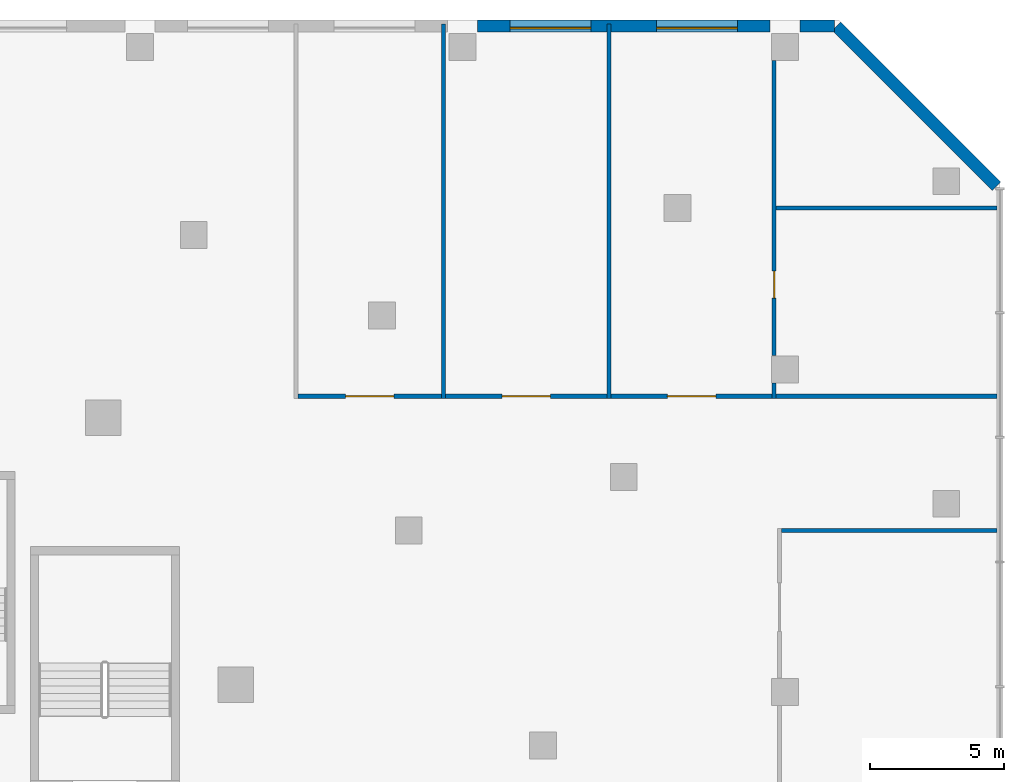
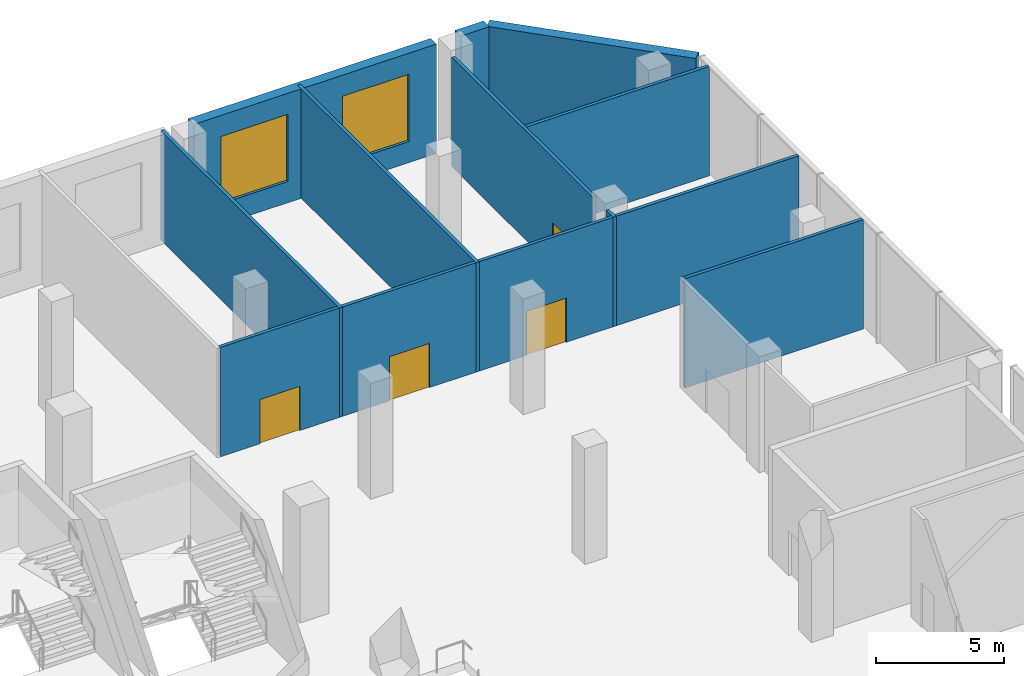
# One storey, part 17 of 25: 13 walls, 4 doors, 2 windows, 6 openings.
"""IFC4 building model written with IfcOpenShell, lengths in metres."""

import ifcopenshell
import ifcopenshell.guid

model = None  # the IFC model being written
_history = None  # IfcOwnerHistory: only IFC2X3 demands one
_inside = {}  # id of a spatial element -> (the spatial element, [elements in it])
_under = {}  # id of a project, library or spatial element -> (it, [spatial elements below it])
_declared = {}  # id of a project -> (the project, [libraries it declares])
_typed = {}  # id of a type object -> (the type object, [elements of that type])
_made_of = {}  # id of a material, layer set ... -> (it, [elements and type objects made of it])


def new_model(schema):
    """Start an empty IFC model of exactly this schema.

    Asked for "IFC4X3", IfcOpenShell would pick the latest addendum, in which some entities
    have other attributes; the version numbers below select the first issue.
    IFC2X3 requires an IfcOwnerHistory on every rooted entity: one is made here for all.
    """
    global model, _history
    if schema == "IFC4X3":
        model = ifcopenshell.file(schema_version=(4, 3, 0, 0))
    else:
        model = ifcopenshell.file(schema=schema)
    _inside.clear()
    _under.clear()
    _declared.clear()
    _typed.clear()
    _made_of.clear()
    _history = None
    if model.schema == "IFC2X3":
        org = make("IfcOrganization", Name="unknown")
        user = make(
            "IfcPersonAndOrganization",
            ThePerson=make("IfcPerson", FamilyName="unknown"),
            TheOrganization=org,
        )
        app = make(
            "IfcApplication",
            ApplicationDeveloper=org,
            Version="unknown",
            ApplicationFullName="unknown",
            ApplicationIdentifier="unknown",
        )
        _history = make(
            "IfcOwnerHistory",
            OwningUser=user,
            OwningApplication=app,
            ChangeAction="ADDED",
            CreationDate=0,
        )
    return model


def make(cls, **values):
    """One entity of the class cls with the attributes given. An attribute that is None is left unset."""
    return model.create_entity(
        cls, **{name: value for name, value in values.items() if value is not None}
    )


def rooted(cls, **values):
    """An entity with a GlobalId (a new one), such as an element, a storey or a relation."""
    return make(cls, GlobalId=ifcopenshell.guid.new(), OwnerHistory=_history, **values)


def si_unit(unit_type, name, prefix=None):
    """IfcSIUnit, for example si_unit("LENGTHUNIT", "METRE", prefix="MILLI")."""
    return make("IfcSIUnit", UnitType=unit_type, Prefix=prefix, Name=name)


def assignment(units):
    """IfcUnitAssignment: the units of a project."""
    return None if units is None else make("IfcUnitAssignment", Units=units)


def point(xyz):
    """IfcCartesianPoint."""
    return None if xyz is None else make("IfcCartesianPoint", Coordinates=xyz)


def direction(xyz):
    """IfcDirection."""
    return None if xyz is None else make("IfcDirection", DirectionRatios=xyz)


def frame(location, z_axis=None, x_axis=None):
    """IfcAxis2Placement3D, a coordinate frame: its origin and axes. An axis left out is left unset."""
    return make(
        "IfcAxis2Placement3D",
        Location=point(location),
        Axis=direction(z_axis),
        RefDirection=direction(x_axis),
    )


def frame_2d(location, x_axis=None):
    """IfcAxis2Placement2D, a coordinate frame in the plane: its origin and x axis."""
    return make(
        "IfcAxis2Placement2D", Location=point(location), RefDirection=direction(x_axis)
    )


def origin():
    """The frame at (0, 0, 0) with its axes left unset."""
    return frame((0.0, 0.0, 0.0))


def place(relative_to, where):
    """IfcLocalPlacement: puts the frame where relative to a parent placement (None: the world)."""
    return make(
        "IfcLocalPlacement", PlacementRelTo=relative_to, RelativePlacement=where
    )


def context(
    kind, dimensions, precision=None, world=None, true_north=None, identifier=None
):
    """IfcGeometricRepresentationContext, for example the 3D "Model" context."""
    return make(
        "IfcGeometricRepresentationContext",
        ContextIdentifier=identifier,
        ContextType=kind,
        CoordinateSpaceDimension=dimensions,
        Precision=precision,
        WorldCoordinateSystem=world,
        TrueNorth=true_north,
    )


def subcontext(parent, identifier, kind, view, scale=None):
    """IfcGeometricRepresentationSubContext, for example "Body" below "Model"."""
    return make(
        "IfcGeometricRepresentationSubContext",
        ContextIdentifier=identifier,
        ContextType=kind,
        ParentContext=parent,
        TargetScale=scale,
        TargetView=view,
    )


def project(units=None, contexts=None):
    """IfcProject with its units and contexts."""
    return rooted(
        "IfcProject",
        Name="project",
        RepresentationContexts=contexts,
        UnitsInContext=assignment(units),
    )


def spatial(cls, under=None, at=None, **own):
    """A site, building, storey or space (cls), placed at a placement, below another one or the project."""
    s = rooted(cls, ObjectPlacement=at, **own)
    if under is not None:
        _under.setdefault(under.id(), (under, []))[1].append(s)
    return s


def profile(cls, at=None, kind="AREA", **sizes):
    """A parametric profile (cls). Its sizes go by their IFC names, for example OverallWidth=200.0."""
    return make(cls, ProfileType=kind, Position=at, **sizes)


def rectangle(**sizes):
    """IfcRectangleProfileDef."""
    return profile("IfcRectangleProfileDef", **sizes)


def extrude(swept, where, along, depth):
    """IfcExtrudedAreaSolid: the profile swept, set in the frame where, extruded along a direction by depth."""
    return make(
        "IfcExtrudedAreaSolid",
        SweptArea=swept,
        Position=where,
        ExtrudedDirection=direction(along),
        Depth=depth,
    )


def shape(context_of_items, identifier, shape_type, items):
    """IfcShapeRepresentation: the items that make up one representation, for example the "Body"."""
    return make(
        "IfcShapeRepresentation",
        ContextOfItems=context_of_items,
        RepresentationIdentifier=identifier,
        RepresentationType=shape_type,
        Items=items,
    )


def material(Name=None, Category=None):
    """IfcMaterial."""
    return make("IfcMaterial", Name=Name, Category=Category)


def layer(
    of_material, thickness, ventilated=None, Name=None, Category=None, Priority=None
):
    """IfcMaterialLayer: one layer of a wall or slab, of a material (None: an air gap)."""
    return make(
        "IfcMaterialLayer",
        Material=of_material,
        LayerThickness=thickness,
        IsVentilated=ventilated,
        Name=Name,
        Category=Category,
        Priority=Priority,
    )


def layer_set(layers, Name=None):
    """IfcMaterialLayerSet."""
    return make("IfcMaterialLayerSet", MaterialLayers=layers, LayerSetName=Name)


def made_of(thing, what):
    """Note that an element or type object is made of a material, layer set ...; save() writes the relation."""
    if what is not None:
        _made_of.setdefault(what.id(), (what, []))[1].append(thing)
    return thing


def type_object(cls, material=None, **own):
    """A type object (cls), such as IfcWallType, which elements share."""
    return made_of(rooted(cls, **own), material)


def element(
    cls,
    number,
    at=None,
    inside=None,
    cuts=None,
    type_object=None,
    material=None,
    context=None,
    identifier="Body",
    shape_type=None,
    held_by="IfcProductDefinitionShape",
    body=None,
    shapes=None,
    **own,
):
    """One element of the class cls, such as IfcWall. Its Tag is "e" and its number.

    at: its placement. inside: the storey or other place that contains it. cuts: it is an
    opening in that element (IfcRelVoidsElement). A single representation is given by context,
    identifier, shape_type and body (its items); several are given by shapes. held_by: the class
    of the entity that holds the representations. save() writes the other relations.
    """
    e = rooted(cls, Tag="e%d" % number, ObjectPlacement=at, **own)
    if body is not None:
        shapes = [shape(context, identifier, shape_type, body)]
    if shapes is not None:
        e.Representation = make(held_by, Representations=shapes)
    if inside is not None:
        _inside.setdefault(inside.id(), (inside, []))[1].append(e)
    if cuts is not None:
        rooted(
            "IfcRelVoidsElement", RelatingBuildingElement=cuts, RelatedOpeningElement=e
        )
    if type_object is not None:
        _typed.setdefault(type_object.id(), (type_object, []))[1].append(e)
    return made_of(e, material)


def fill(opening, filler):
    """IfcRelFillsElement: the door or window that sits in an opening."""
    return rooted(
        "IfcRelFillsElement",
        RelatingOpeningElement=opening,
        RelatedBuildingElement=filler,
    )


def aggregate(whole, parts):
    """IfcRelAggregates: a whole, such as a stair, and the parts it consists of."""
    return rooted("IfcRelAggregates", RelatingObject=whole, RelatedObjects=parts)


def save(model, path):
    """Write the relations noted so far, then the file.

    IfcRelAggregates (storeys below a building ...), IfcRelContainedInSpatialStructure (elements
    in a storey), IfcRelDefinesByType, IfcRelAssociatesMaterial and IfcRelDeclares: one each for
    every whole, place, type object, material and project.
    """
    for whole, parts in _under.values():
        aggregate(whole, parts)
    for where, things in _inside.values():
        rooted(
            "IfcRelContainedInSpatialStructure",
            RelatedElements=things,
            RelatingStructure=where,
        )
    for kind, things in _typed.values():
        rooted("IfcRelDefinesByType", RelatedObjects=things, RelatingType=kind)
    for what, things in _made_of.values():
        rooted("IfcRelAssociatesMaterial", RelatedObjects=things, RelatingMaterial=what)
    for by, libraries in _declared.values():
        rooted("IfcRelDeclares", RelatingContext=by, RelatedDefinitions=libraries)
    model.write(path)


model = new_model("IFC4")

# Units and contexts
model_context = context("Model", 3, precision=1e-05, world=origin(), true_north=direction((0.0, 1.0)))
body_context = subcontext(model_context, "Body", "Model", "MODEL_VIEW")
ifc_project = project(units=[si_unit("LENGTHUNIT", "METRE"), si_unit("AREAUNIT", "SQUARE_METRE"), si_unit("VOLUMEUNIT", "CUBIC_METRE"), si_unit("PLANEANGLEUNIT", "RADIAN"), si_unit("MASSUNIT", "GRAM", prefix="KILO")], contexts=[model_context])

# Site, building, storey
site_placement = place(None, origin())
site = spatial("IfcSite", under=ifc_project, at=site_placement, CompositionType="ELEMENT")
building_placement = place(site_placement, origin())
building = spatial("IfcBuilding", under=site, at=building_placement, Name="Wharfspan Tower", CompositionType="ELEMENT")
storey_placement = place(building_placement, frame((0.0, 0.0, 27.5)))
storey = spatial("IfcBuildingStorey", under=building, at=storey_placement, Name="L04", CompositionType="ELEMENT", Elevation=27.5)

# Wall
ifc_material_1 = material(Name="Calcium silicate masonry", Category="masonry")
ifc_layer_1 = layer(ifc_material_1, 0.149902)
ifc_layer_set_1 = layer_set([ifc_layer_1], Name="Calcium silicate masonry")
wall_type_1 = type_object("IfcWallType", Name="Podium room wall 150", PredefinedType="PARTITIONING", material=ifc_layer_set_1)
wall_1_placement = place(storey_placement, frame((99.875, 37.0, 0.0), z_axis=(0.0, 0.0, 1.0), x_axis=(1.0, 0.0, 0.0)))
element("IfcWall", 1, at=wall_1_placement, inside=storey, type_object=wall_type_1, Name="iw:L04:31", PredefinedType="PARTITIONING", context=body_context, shape_type="SweptSolid", body=[
    extrude(rectangle(XDim=8.02002, YDim=0.149902, at=frame_2d((4.01001, 0.0))), origin(), (0.0, 0.0, 1.0), 5.199951),
])

# Wall, opening, door
wall_2_placement = place(storey_placement, frame((81.875, 42.0, 0.0), z_axis=(0.0, 0.0, 1.0), x_axis=(1.0, 0.0, 0.0)))
wall_2 = element("IfcWall", 2, at=wall_2_placement, inside=storey, type_object=wall_type_1, Name="iw:L04:32", PredefinedType="PARTITIONING", context=body_context, shape_type="SweptSolid", body=[
    extrude(rectangle(XDim=5.350098, YDim=0.149902, at=frame_2d((2.675049, 0.0))), origin(), (0.0, 0.0, 1.0), 5.199951),
])
opening_1_placement = place(wall_2_placement, frame((1.774902, 0.0, 0.0)))
opening_1 = element("IfcOpeningElement", 3, at=opening_1_placement, cuts=wall_2, Name="Opening PD04.20", PredefinedType="OPENING", context=body_context, shape_type="SweptSolid", body=[
    extrude(rectangle(XDim=1.800049, YDim=2.100098, at=frame_2d((0.899902, 1.050049))), frame((0.0, 0.084961, 0.0), z_axis=(0.0, -1.0, 0.0), x_axis=(1.0, 0.0, 0.0)), (0.0, 0.0, 1.0), 0.169922),
])
ifc_material_2 = material(Name="Steel door leaf", Category="steel")
door_type_1 = type_object("IfcDoorType", Name="Podium double door 1800x2100", OperationType="DOUBLE_DOOR_SINGLE_SWING", PredefinedType="DOOR", material=ifc_material_2)
door_1_placement = place(opening_1_placement, origin())
door_1 = element("IfcDoor", 4, at=door_1_placement, inside=storey, type_object=door_type_1, Name="id:L04:20", OperationType="DOUBLE_DOOR_SINGLE_SWING", OverallHeight=2.100098, OverallWidth=1.800049, PredefinedType="DOOR", context=body_context, shape_type="SweptSolid", body=[
    extrude(rectangle(XDim=1.800049, YDim=2.100098, at=frame_2d((0.899902, 1.050049))), frame((0.0, 0.024902, 0.0), z_axis=(0.0, -1.0, 0.0), x_axis=(1.0, 0.0, 0.0)), (0.0, 0.0, 1.0), 0.050049),
])
fill(opening_1, door_1)

wall_3_placement = place(storey_placement, frame((87.375, 42.0, 0.0), z_axis=(0.0, 0.0, 1.0), x_axis=(1.0, 0.0, 0.0)))
wall_3 = element("IfcWall", 5, at=wall_3_placement, inside=storey, type_object=wall_type_1, Name="iw:L04:33", PredefinedType="PARTITIONING", context=body_context, shape_type="SweptSolid", body=[
    extrude(rectangle(XDim=6.0, YDim=0.149902, at=frame_2d((3.0, 0.0))), origin(), (0.0, 0.0, 1.0), 5.199951),
])
opening_2_placement = place(wall_3_placement, frame((2.100098, 0.0, 0.0)))
opening_2 = element("IfcOpeningElement", 6, at=opening_2_placement, cuts=wall_3, Name="Opening PD04.21", PredefinedType="OPENING", context=body_context, shape_type="SweptSolid", body=[
    extrude(rectangle(XDim=1.800049, YDim=2.100098, at=frame_2d((0.899902, 1.050049))), frame((0.0, 0.084961, 0.0), z_axis=(0.0, -1.0, 0.0), x_axis=(1.0, 0.0, 0.0)), (0.0, 0.0, 1.0), 0.169922),
])
door_2_placement = place(opening_2_placement, origin())
door_2 = element("IfcDoor", 7, at=door_2_placement, inside=storey, type_object=door_type_1, Name="id:L04:21", OperationType="DOUBLE_DOOR_SINGLE_SWING", OverallHeight=2.100098, OverallWidth=1.800049, PredefinedType="DOOR", context=body_context, shape_type="SweptSolid", body=[
    extrude(rectangle(XDim=1.800049, YDim=2.100098, at=frame_2d((0.899902, 1.050049))), frame((0.0, 0.024902, 0.0), z_axis=(0.0, -1.0, 0.0), x_axis=(1.0, 0.0, 0.0)), (0.0, 0.0, 1.0), 0.050049),
])
fill(opening_2, door_2)

wall_4_placement = place(storey_placement, frame((93.524902, 42.0, 0.0), z_axis=(0.0, 0.0, 1.0), x_axis=(1.0, 0.0, 0.0)))
wall_4 = element("IfcWall", 8, at=wall_4_placement, inside=storey, type_object=wall_type_1, Name="iw:L04:34", PredefinedType="PARTITIONING", context=body_context, shape_type="SweptSolid", body=[
    extrude(rectangle(XDim=6.0, YDim=0.149902, at=frame_2d((3.0, 0.0))), origin(), (0.0, 0.0, 1.0), 5.199951),
])
opening_3_placement = place(wall_4_placement, frame((2.100098, 0.0, 0.0)))
opening_3 = element("IfcOpeningElement", 9, at=opening_3_placement, cuts=wall_4, Name="Opening PD04.22", PredefinedType="OPENING", context=body_context, shape_type="SweptSolid", body=[
    extrude(rectangle(XDim=1.800049, YDim=2.100098, at=frame_2d((0.899902, 1.050049))), frame((0.0, 0.084961, 0.0), z_axis=(0.0, -1.0, 0.0), x_axis=(1.0, 0.0, 0.0)), (0.0, 0.0, 1.0), 0.169922),
])
door_3_placement = place(opening_3_placement, origin())
door_3 = element("IfcDoor", 10, at=door_3_placement, inside=storey, type_object=door_type_1, Name="id:L04:22", OperationType="DOUBLE_DOOR_SINGLE_SWING", OverallHeight=2.100098, OverallWidth=1.800049, PredefinedType="DOOR", context=body_context, shape_type="SweptSolid", body=[
    extrude(rectangle(XDim=1.800049, YDim=2.100098, at=frame_2d((0.899902, 1.050049))), frame((0.0, 0.024902, 0.0), z_axis=(0.0, -1.0, 0.0), x_axis=(1.0, 0.0, 0.0)), (0.0, 0.0, 1.0), 0.050049),
])
fill(opening_3, door_3)

# Walls
for number, where, z_axis, x_axis, name in (
    (11, (99.675049, 42.0, 0.0), (0.0, 0.0, 1.0), (1.0, 0.0, 0.0), "iw:L04:35"),
    (12, (99.675049, 49.0, 0.0), (0.0, 0.0, 1.0), (1.0, 0.0, 0.0), "iw:L04:36"),
):
    element("IfcWall", number, at=place(storey_placement, frame(where, z_axis=z_axis, x_axis=x_axis)), inside=storey, type_object=wall_type_1, Name=name, PredefinedType="PARTITIONING", context=body_context, shape_type="SweptSolid", body=[
        extrude(rectangle(XDim=8.219971, YDim=0.149902, at=frame_2d((4.109863, 0.0))), origin(), (0.0, 0.0, 1.0), 5.199951),
    ])
wall_5_placement = place(storey_placement, frame((99.600098, 41.925049, 0.0), z_axis=(0.0, 0.0, 1.0), x_axis=(0.0, 1.0, 0.0)))
element("IfcWall", 13, at=wall_5_placement, inside=storey, type_object=wall_type_1, Name="iw:L04:37", PredefinedType="PARTITIONING", context=body_context, shape_type="SweptSolid", body=[
    extrude(rectangle(XDim=0.564941, YDim=0.149902, at=frame_2d((0.282471, 0.0))), origin(), (0.0, 0.0, 1.0), 5.199951),
])

# Wall, opening, door
wall_6_placement = place(storey_placement, frame((99.600098, 43.51001, 0.0), z_axis=(0.0, 0.0, 1.0), x_axis=(0.0, 1.0, 0.0)))
wall_6 = element("IfcWall", 14, at=wall_6_placement, inside=storey, type_object=wall_type_1, Name="iw:L04:38", PredefinedType="PARTITIONING", context=body_context, shape_type="SweptSolid", body=[
    extrude(rectangle(XDim=10.97998, YDim=0.149902, at=frame_2d((5.48999, 0.0))), origin(), (0.0, 0.0, 1.0), 5.199951),
])
opening_4_placement = place(wall_6_placement, frame((2.14502, 0.0, 0.0)))
opening_4 = element("IfcOpeningElement", 15, at=opening_4_placement, cuts=wall_6, Name="Opening PD04.18", PredefinedType="OPENING", context=body_context, shape_type="SweptSolid", body=[
    extrude(rectangle(XDim=1.0, YDim=2.100098, at=frame_2d((0.5, 1.050049))), frame((0.0, 0.084961, 0.0), z_axis=(0.0, -1.0, 0.0), x_axis=(1.0, 0.0, 0.0)), (0.0, 0.0, 1.0), 0.169922),
])
door_type_2 = type_object("IfcDoorType", Name="Podium room door 1000x2100", OperationType="SINGLE_SWING_LEFT", PredefinedType="DOOR", material=ifc_material_2)
door_4_placement = place(opening_4_placement, origin())
door_4 = element("IfcDoor", 16, at=door_4_placement, inside=storey, type_object=door_type_2, Name="id:L04:18", OperationType="SINGLE_SWING_LEFT", OverallHeight=2.100098, OverallWidth=1.0, PredefinedType="DOOR", context=body_context, shape_type="SweptSolid", body=[
    extrude(rectangle(XDim=1.0, YDim=2.100098, at=frame_2d((0.5, 1.050049))), frame((0.0, 0.024902, 0.0), z_axis=(0.0, -1.0, 0.0), x_axis=(1.0, 0.0, 0.0)), (0.0, 0.0, 1.0), 0.050049),
])
fill(opening_4, door_4)

# Walls
for number, where, z_axis, x_axis, name in (
    (17, (87.300049, 41.925049, 0.0), (0.0, 0.0, 1.0), (0.0, 1.0, 0.0), "iw:L04:45"),
    (18, (93.449951, 41.925049, 0.0), (0.0, 0.0, 1.0), (0.0, 1.0, 0.0), "iw:L04:47"),
):
    element("IfcWall", number, at=place(storey_placement, frame(where, z_axis=z_axis, x_axis=x_axis)), inside=storey, type_object=wall_type_1, Name=name, PredefinedType="PARTITIONING", context=body_context, shape_type="SweptSolid", body=[
        extrude(rectangle(XDim=13.925049, YDim=0.149902, at=frame_2d((6.962402, 0.0))), origin(), (0.0, 0.0, 1.0), 5.199951),
    ])
ifc_material_3 = material(Name="Concrete C40/50", Category="concrete")
ifc_layer_2 = layer(ifc_material_3, 0.449951)
ifc_layer_set_2 = layer_set([ifc_layer_2], Name="Concrete C40/50")
wall_type_2 = type_object("IfcWallType", Name="WALL BOARD-MARKED CONCRETE 450", PredefinedType="SOLIDWALL", material=ifc_layer_set_2)
wall_7_placement = place(storey_placement, frame((107.869141, 49.8125, 0.0), z_axis=(0.0, 0.0, 1.0), x_axis=(-0.707092, 0.707121, 0.0)))
element("IfcWall", 19, at=wall_7_placement, inside=storey, type_object=wall_type_2, Name="Podium wall PF4", PredefinedType="SOLIDWALL", context=body_context, shape_type="SweptSolid", body=[
    extrude(rectangle(XDim=8.425293, YDim=0.449951, at=frame_2d((4.212646, 0.0))), origin(), (0.0, 0.0, 1.0), 5.199951),
])

# Wall, openings, windows
wall_8_placement = place(storey_placement, frame((99.449951, 55.774902, 0.0), z_axis=(0.0, 0.0, 1.0), x_axis=(-1.0, 0.0, 0.0)))
wall_8 = element("IfcWall", 20, at=wall_8_placement, inside=storey, type_object=wall_type_2, Name="Podium wall PF5", PredefinedType="SOLIDWALL", context=body_context, shape_type="SweptSolid", body=[
    extrude(rectangle(XDim=10.899902, YDim=0.449951, at=frame_2d((5.449951, 0.0))), origin(), (0.0, 0.0, 1.0), 5.199951),
])
opening_5_placement = place(wall_8_placement, frame((1.225098, 0.0, 1.0)))
opening_5 = element("IfcOpeningElement", 21, at=opening_5_placement, cuts=wall_8, Name="Opening EWN4", PredefinedType="OPENING", context=body_context, shape_type="SweptSolid", body=[
    extrude(rectangle(XDim=3.0, YDim=3.199951, at=frame_2d((1.5, 1.600098))), frame((0.0, 0.234863, 0.0), z_axis=(0.0, -1.0, 0.0), x_axis=(1.0, 0.0, 0.0)), (0.0, 0.0, 1.0), 0.469971),
])
opening_6_placement = place(wall_8_placement, frame((6.675049, 0.0, 1.0)))
opening_6 = element("IfcOpeningElement", 22, at=opening_6_placement, cuts=wall_8, Name="Opening EWN4", PredefinedType="OPENING", context=body_context, shape_type="SweptSolid", body=[
    extrude(rectangle(XDim=3.0, YDim=3.199951, at=frame_2d((1.5, 1.600098))), frame((0.0, 0.234863, 0.0), z_axis=(0.0, -1.0, 0.0), x_axis=(1.0, 0.0, 0.0)), (0.0, 0.0, 1.0), 0.469971),
])
ifc_material_4 = material(Name="Aluminium 6063-T6", Category="aluminium")
window_type = type_object("IfcWindowType", Name="WINDOW 3000x3200", PartitioningType="SINGLE_PANEL", PredefinedType="WINDOW", material=ifc_material_4)
window_1_placement = place(opening_5_placement, origin())
window_1 = element("IfcWindow", 23, at=window_1_placement, inside=storey, type_object=window_type, Name="Podium window", OverallHeight=3.199951, OverallWidth=3.0, PartitioningType="SINGLE_PANEL", PredefinedType="WINDOW", context=body_context, shape_type="SweptSolid", body=[
    extrude(rectangle(XDim=3.0, YDim=3.199951, at=frame_2d((1.5, 1.600098))), frame((0.0, 0.10498, 0.0), z_axis=(0.0, -1.0, 0.0), x_axis=(1.0, 0.0, 0.0)), (0.0, 0.0, 1.0), 0.060059),
])
fill(opening_5, window_1)
window_2_placement = place(opening_6_placement, origin())
window_2 = element("IfcWindow", 24, at=window_2_placement, inside=storey, type_object=window_type, Name="Podium window", OverallHeight=3.199951, OverallWidth=3.0, PartitioningType="SINGLE_PANEL", PredefinedType="WINDOW", context=body_context, shape_type="SweptSolid", body=[
    extrude(rectangle(XDim=3.0, YDim=3.199951, at=frame_2d((1.5, 1.600098))), frame((0.0, 0.10498, 0.0), z_axis=(0.0, -1.0, 0.0), x_axis=(1.0, 0.0, 0.0)), (0.0, 0.0, 1.0), 0.060059),
])
fill(opening_6, window_2)

# Wall
wall_9_placement = place(storey_placement, frame((101.840088, 55.774902, 0.0), z_axis=(0.0, 0.0, 1.0), x_axis=(-1.0, 0.0, 0.0)))
element("IfcWall", 25, at=wall_9_placement, inside=storey, type_object=wall_type_2, Name="Podium wall PF5", PredefinedType="SOLIDWALL", context=body_context, shape_type="SweptSolid", body=[
    extrude(rectangle(XDim=1.290039, YDim=0.449951, at=frame_2d((0.64502, 0.0))), origin(), (0.0, 0.0, 1.0), 5.199951),
])

save(model, "model.ifc")
